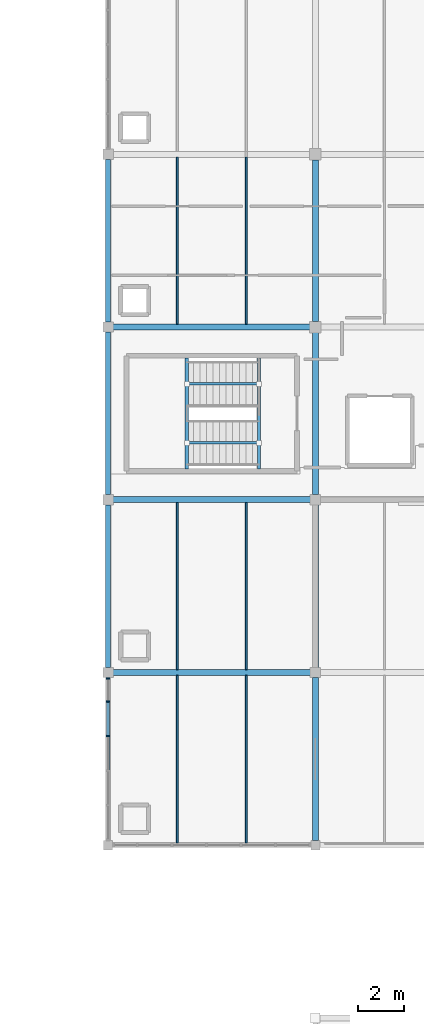
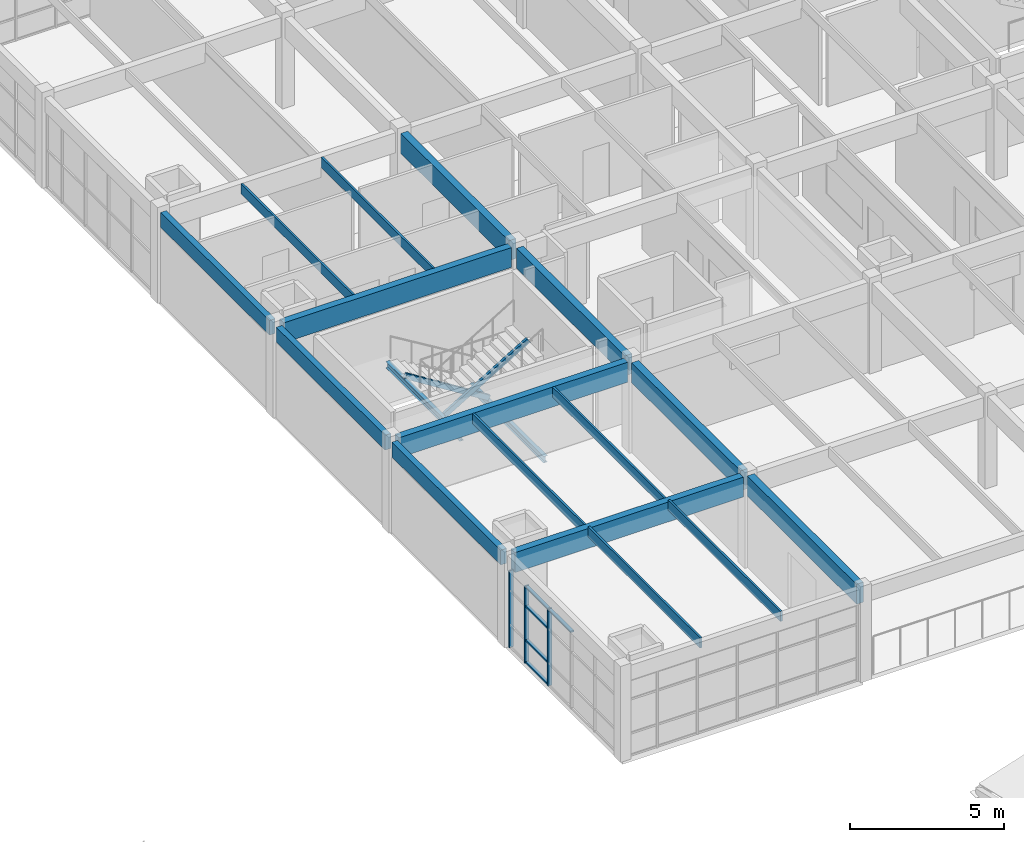
# One storey, part 14 of 81: 18 beams, 10 members, 1 element without a shape of its own.
"""IFC4 building model written with IfcOpenShell, lengths in metres."""

from ifc_helpers import new_model, si_unit, direction, frame, origin, origin_2d, place, context, subcontext, project, spatial, rectangle, hollow_rectangle, i_section, extrude, material, layer, layer_set, material_profile, profile_set, type_object, element, aggregate, save


model = new_model("IFC4")

# Units and contexts
model_context = context("Model", 3, precision=1e-05, world=origin(), true_north=direction((0.0, 1.0)))
body_context = subcontext(model_context, "Body", "Model", "MODEL_VIEW")
ifc_project = project(units=[si_unit("LENGTHUNIT", "METRE"), si_unit("AREAUNIT", "SQUARE_METRE"), si_unit("VOLUMEUNIT", "CUBIC_METRE"), si_unit("PLANEANGLEUNIT", "RADIAN"), si_unit("MASSUNIT", "GRAM", prefix="KILO")], contexts=[model_context])

# Site, building, storey
site_placement = place(None, origin())
site = spatial("IfcSite", under=ifc_project, at=site_placement, CompositionType="ELEMENT")
building_placement = place(site_placement, origin())
building = spatial("IfcBuilding", under=site, at=building_placement, Name="Marnridge Secondary College", CompositionType="ELEMENT")
storey_placement = place(building_placement, frame((0.0, 0.0, 8.5)))
storey = spatial("IfcBuildingStorey", under=building, at=storey_placement, Name="L02", CompositionType="ELEMENT", Elevation=8.5)

# Beams
ifc_material_1 = material(Name="Glulam timber GL18", Category="wood")
ifc_material_profile_1 = material_profile(ifc_material_1, rectangle(XDim=0.215087890625, YDim=0.5849609375, at=origin_2d()), Name="GL18 215x585")
ifc_profile_set_1 = profile_set([ifc_material_profile_1], Name="Glulam timber GL18")
beam_type_1 = type_object("IfcBeamType", Name="BM-GL585-EXT", PredefinedType="SPANDREL", material=ifc_profile_set_1)
for number, where, z_axis, x_axis, name in (
    (1, (54.0, 45.218994140625, 3.277587890625), (0.0, 1.0, 0.0), (-1.0, 0.0, 0.0), "Beam BS-L02-0758"),
    (2, (54.0, 52.718994140625, 3.277587890625), (0.0, 1.0, 0.0), (-1.0, 0.0, 0.0), "Beam BS-L02-0761"),
    (3, (54.0, 60.218994140625, 3.277587890625), (0.0, 1.0, 0.0), (-1.0, 0.0, 0.0), "Beam BS-L02-0764"),
):
    element("IfcBeam", number, at=place(storey_placement, frame(where, z_axis=z_axis, x_axis=x_axis)), inside=storey, type_object=beam_type_1, Name=name, PredefinedType="SPANDREL", context=body_context, shape_type="SweptSolid", body=[
        extrude(rectangle(XDim=0.215087890625, YDim=0.5849609375, at=origin_2d()), origin(), (0.0, 0.0, 1.0), 7.06201171875),
    ])
ifc_material_2 = material(Name="Glulam timber GL18", Category="wood")
ifc_material_profile_2 = material_profile(ifc_material_2, rectangle(XDim=0.260009765625, YDim=0.7900390625, at=origin_2d()), Name="GL18 260x790")
ifc_profile_set_2 = profile_set([ifc_material_profile_2], Name="Glulam timber GL18")
beam_type_2 = type_object("IfcBeamType", Name="BM-GL790-INT", PredefinedType="BEAM", material=ifc_profile_set_2)
for number, where, z_axis, x_axis, name in (
    (4, (54.218994140625, 45.0, 3.175048828125), (1.0, 0.0, 0.0), (0.0, 1.0, 0.0), "Beam B-L02-0756"),
    (5, (54.218994140625, 52.5, 3.175048828125), (1.0, 0.0, 0.0), (0.0, 1.0, 0.0), "Beam B-L02-0757"),
):
    element("IfcBeam", number, at=place(storey_placement, frame(where, z_axis=z_axis, x_axis=x_axis)), inside=storey, type_object=beam_type_2, Name=name, PredefinedType="BEAM", context=body_context, shape_type="SweptSolid", body=[
        extrude(rectangle(XDim=0.260009765625, YDim=0.7900390625, at=origin_2d()), origin(), (0.0, 0.0, 1.0), 8.56201171875),
    ])
beam_1_placement = place(storey_placement, frame((63.0, 45.218994140625, 3.175048828125), z_axis=(0.0, 1.0, 0.0), x_axis=(-1.0, 0.0, 0.0)))
element("IfcBeam", 6, at=beam_1_placement, inside=storey, type_object=beam_type_2, Name="Beam B-L02-0759", PredefinedType="BEAM", context=body_context, shape_type="SweptSolid", body=[
    extrude(rectangle(XDim=0.260009765625, YDim=0.7900390625, at=origin_2d()), origin(), (0.0, 0.0, 1.0), 7.06201171875),
])
beam_2_placement = place(storey_placement, frame((54.218994140625, 60.0, 3.175048828125), z_axis=(1.0, 0.0, 0.0), x_axis=(0.0, 1.0, 0.0)))
element("IfcBeam", 7, at=beam_2_placement, inside=storey, type_object=beam_type_2, Name="Beam B-L02-0760", PredefinedType="BEAM", context=body_context, shape_type="SweptSolid", body=[
    extrude(rectangle(XDim=0.260009765625, YDim=0.7900390625, at=origin_2d()), origin(), (0.0, 0.0, 1.0), 8.537109375),
])
beam_3_placement = place(storey_placement, frame((63.0, 52.718994140625, 3.175048828125), z_axis=(0.0, 1.0, 0.0), x_axis=(-1.0, 0.0, 0.0)))
element("IfcBeam", 8, at=beam_3_placement, inside=storey, type_object=beam_type_2, Name="Beam B-L02-0762", PredefinedType="BEAM", context=body_context, shape_type="SweptSolid", body=[
    extrude(rectangle(XDim=0.260009765625, YDim=0.7900390625, at=origin_2d()), origin(), (0.0, 0.0, 1.0), 7.037109375),
])
beam_4_placement = place(storey_placement, frame((63.0, 60.243896484375, 3.175048828125), z_axis=(0.0, 1.0, 0.0), x_axis=(-1.0, 0.0, 0.0)))
element("IfcBeam", 9, at=beam_4_placement, inside=storey, type_object=beam_type_2, Name="Beam B-L02-0765", PredefinedType="BEAM", context=body_context, shape_type="SweptSolid", body=[
    extrude(rectangle(XDim=0.260009765625, YDim=0.7900390625, at=origin_2d()), origin(), (0.0, 0.0, 1.0), 7.01220703125),
])
beam_5_placement = place(storey_placement, frame((63.0, 37.694091796875, 3.2451171875), z_axis=(0.0, 1.0, 0.0), x_axis=(-1.0, 0.0, 0.0)))
element("IfcBeam", 10, at=beam_5_placement, inside=storey, type_object=beam_type_2, Name="Beam B-L02-0798", PredefinedType="BEAM", context=body_context, shape_type="SweptSolid", body=[
    extrude(rectangle(XDim=0.260009765625, YDim=0.7900390625, at=origin_2d()), origin(), (0.0, 0.0, 1.0), 7.0869140625),
])
ifc_material_3 = material(Name="Engineered timber LVL E13.2", Category="wood")
ifc_material_profile_3 = material_profile(ifc_material_3, rectangle(XDim=0.074951171875, YDim=0.39990234375, at=origin_2d()), Name="LVL 75x400")
ifc_profile_set_3 = profile_set([ifc_material_profile_3], Name="Engineered timber LVL E13.2")
beam_type_3 = type_object("IfcBeamType", Name="BM-LVL400-INT", PredefinedType="JOIST", material=ifc_profile_set_3)
for number, where, z_axis, x_axis, name in (
    (11, (57.0, 45.1240234375, 3.3701171875), (0.0, 1.0, 0.0), (-1.0, 0.0, 0.0), "Beam BJ-L02-0814"),
    (12, (60.0, 45.1240234375, 3.3701171875), (0.0, 1.0, 0.0), (-1.0, 0.0, 0.0), "Beam BJ-L02-0815"),
    (13, (57.0, 60.1240234375, 3.3701171875), (0.0, 1.0, 0.0), (-1.0, 0.0, 0.0), "Beam BJ-L02-0816"),
    (14, (60.0, 60.1240234375, 3.3701171875), (0.0, 1.0, 0.0), (-1.0, 0.0, 0.0), "Beam BJ-L02-0817"),
):
    element("IfcBeam", number, at=place(storey_placement, frame(where, z_axis=z_axis, x_axis=x_axis)), inside=storey, type_object=beam_type_3, Name=name, PredefinedType="JOIST", context=body_context, shape_type="SweptSolid", body=[
        extrude(rectangle(XDim=0.074951171875, YDim=0.39990234375, at=origin_2d()), origin(), (0.0, 0.0, 1.0), 7.251953125),
    ])
for number, where, z_axis, x_axis, name in (
    (15, (57.0, 37.6015625, 3.43994140625), (0.0, 1.0, 0.0), (-1.0, 0.0, 0.0), "Beam BJ-L02-0841"),
    (16, (60.0, 37.6015625, 3.43994140625), (0.0, 1.0, 0.0), (-1.0, 0.0, 0.0), "Beam BJ-L02-0842"),
):
    element("IfcBeam", number, at=place(storey_placement, frame(where, z_axis=z_axis, x_axis=x_axis)), inside=storey, type_object=beam_type_3, Name=name, PredefinedType="JOIST", context=body_context, shape_type="SweptSolid", body=[
        extrude(rectangle(XDim=0.074951171875, YDim=0.39990234375, at=origin_2d()), origin(), (0.0, 0.0, 1.0), 7.2744140625),
    ])
ifc_material_4 = material(Name="Structural steel Grade 350 (AS/NZS 3679.1/.2, fy = 340-360 MPa)", Category="steel")
ifc_material_profile_4 = material_profile(ifc_material_4, i_section(OverallWidth=0.146240234375, OverallDepth=0.256103515625, WebThickness=0.00634765625, FlangeThickness=0.010986328125, FilletRadius=0.0087890625, at=origin_2d()), Name="250UB37.3")
ifc_profile_set_4 = profile_set([ifc_material_profile_4], Name="Structural steel Grade 350 (AS/NZS 3679.1/.2, fy = 340-360 MPa)")
beam_type_4 = type_object("IfcBeamType", Name="BM-UB250-EXT", PredefinedType="LINTEL", material=ifc_profile_set_4)
for number, where, z_axis, x_axis, name in (
    (17, (60.550048828125, 53.842041015625, -0.38818359375), (0.0, 1.0, 0.0), (-1.0, 0.0, 0.0), "Stair landing trimmer beam BT-L02-004"),
    (18, (57.4150390625, 53.842041015625, 1.572021484375), (0.0, 1.0, 0.0), (-1.0, 0.0, 0.0), "Stair landing trimmer beam BT-L02-005"),
):
    element("IfcBeam", number, at=place(storey_placement, frame(where, z_axis=z_axis, x_axis=x_axis)), inside=storey, type_object=beam_type_4, Name=name, PredefinedType="LINTEL", context=body_context, shape_type="SweptSolid", body=[
        extrude(i_section(OverallWidth=0.146240234375, OverallDepth=0.256103515625, WebThickness=0.00634765625, FlangeThickness=0.010986328125, FilletRadius=0.0087890625, at=origin_2d()), origin(), (0.0, 0.0, 1.0), 4.802978515625),
    ])

# Curtain wall, members
ifc_material_5 = material(Name="Thermally broken aluminium and low-E glazing", Category="aluminium")
ifc_layer = layer(ifc_material_5, 0.159912109375)
ifc_layer_set = layer_set([ifc_layer], Name="CW-MOD-1500")
curtain_wall_type = type_object("IfcCurtainWallType", Name="CW-MOD-1500", PredefinedType="NOTDEFINED", material=ifc_layer_set)
curtain_wall_placement = place(storey_placement, origin())
curtain_wall = element("IfcCurtainWall", 19, at=curtain_wall_placement, inside=storey, type_object=curtain_wall_type, Name="Unitised curtain wall CW-L02-082", PredefinedType="NOTDEFINED")
ifc_material_6 = material(Name="Anodised aluminium 6063-T6", Category="aluminium")
ifc_material_profile_5 = material_profile(ifc_material_6, rectangle(XDim=0.06005859375, YDim=0.159912109375, at=origin_2d()), Name="ALU 60x160")
ifc_profile_set_5 = profile_set([ifc_material_profile_5], Name="Anodised aluminium 6063-T6")
member_type_1 = type_object("IfcMemberType", Name="CWM-ALU160", PredefinedType="MULLION", material=ifc_profile_set_5)
member_1_placement = place(storey_placement, frame((54.0, 42.23388671875, 0.0), z_axis=(0.0, 0.0, 1.0), x_axis=(0.0, 1.0, 0.0)))
member_1 = element("IfcMember", 20, at=member_1_placement, type_object=member_type_1, Name="CW-L02-082 mullion 4", PredefinedType="MULLION", context=body_context, shape_type="SweptSolid", body=[
    extrude(rectangle(XDim=0.06005859375, YDim=0.159912109375, at=origin_2d()), origin(), (0.0, 0.0, 1.0), 3.047119140625),
])
member_2_placement = place(storey_placement, frame((54.0, 43.73388671875, 0.0), z_axis=(0.0, 0.0, 1.0), x_axis=(0.0, 1.0, 0.0)))
member_2 = element("IfcMember", 21, at=member_2_placement, type_object=member_type_1, Name="CW-L02-082 mullion 5", PredefinedType="MULLION", context=body_context, shape_type="SweptSolid", body=[
    extrude(rectangle(XDim=0.06005859375, YDim=0.159912109375, at=origin_2d()), origin(), (0.0, 0.0, 1.0), 3.047119140625),
])
member_3_placement = place(storey_placement, frame((54.0, 44.740966796875, 0.0), z_axis=(0.0, 0.0, 1.0), x_axis=(0.0, 1.0, 0.0)))
member_3 = element("IfcMember", 22, at=member_3_placement, type_object=member_type_1, Name="CW-L02-082 mullion 6", PredefinedType="MULLION", context=body_context, shape_type="SweptSolid", body=[
    extrude(rectangle(XDim=0.06005859375, YDim=0.159912109375, at=origin_2d()), origin(), (0.0, 0.0, 1.0), 3.047119140625),
])
ifc_material_7 = material(Name="Anodised aluminium 6063-T6", Category="aluminium")
ifc_material_profile_6 = material_profile(ifc_material_7, rectangle(XDim=0.06005859375, YDim=0.1201171875, at=origin_2d()), Name="ALU 60x120")
ifc_profile_set_6 = profile_set([ifc_material_profile_6], Name="Anodised aluminium 6063-T6")
member_type_2 = type_object("IfcMemberType", Name="CWT-ALU120", PredefinedType="USERDEFINED", material=ifc_profile_set_6)
member_4_placement = place(storey_placement, frame((54.0, 40.763916015625, 3.01708984375), z_axis=(0.0, 1.0, 0.0), x_axis=(0.0, 0.0, 1.0)))
member_4 = element("IfcMember", 23, at=member_4_placement, type_object=member_type_2, Name="CW-L02-082 transom 3.4", ObjectType="TRANSOM", PredefinedType="USERDEFINED", context=body_context, shape_type="SweptSolid", body=[
    extrude(rectangle(XDim=0.06005859375, YDim=0.1201171875, at=origin_2d()), origin(), (0.0, 0.0, 1.0), 1.440185546875),
])
member_5_placement = place(storey_placement, frame((54.0, 42.263916015625, 0.030029296875), z_axis=(0.0, 1.0, 0.0), x_axis=(0.0, 0.0, 1.0)))
member_5 = element("IfcMember", 24, at=member_5_placement, type_object=member_type_2, Name="CW-L02-082 transom 4.1", ObjectType="TRANSOM", PredefinedType="USERDEFINED", context=body_context, shape_type="SweptSolid", body=[
    extrude(rectangle(XDim=0.06005859375, YDim=0.1201171875, at=origin_2d()), origin(), (0.0, 0.0, 1.0), 1.440185546875),
])
member_6_placement = place(storey_placement, frame((54.0, 42.263916015625, 0.89990234375), z_axis=(0.0, 1.0, 0.0), x_axis=(0.0, 0.0, 1.0)))
member_6 = element("IfcMember", 25, at=member_6_placement, type_object=member_type_2, Name="CW-L02-082 transom 4.2", ObjectType="TRANSOM", PredefinedType="USERDEFINED", context=body_context, shape_type="SweptSolid", body=[
    extrude(rectangle(XDim=0.06005859375, YDim=0.1201171875, at=origin_2d()), origin(), (0.0, 0.0, 1.0), 1.440185546875),
])
member_7_placement = place(storey_placement, frame((54.0, 42.263916015625, 2.25), z_axis=(0.0, 1.0, 0.0), x_axis=(0.0, 0.0, 1.0)))
member_7 = element("IfcMember", 26, at=member_7_placement, type_object=member_type_2, Name="CW-L02-082 transom 4.3", ObjectType="TRANSOM", PredefinedType="USERDEFINED", context=body_context, shape_type="SweptSolid", body=[
    extrude(rectangle(XDim=0.06005859375, YDim=0.1201171875, at=origin_2d()), origin(), (0.0, 0.0, 1.0), 1.440185546875),
])
member_8_placement = place(storey_placement, frame((54.0, 42.263916015625, 3.01708984375), z_axis=(0.0, 1.0, 0.0), x_axis=(0.0, 0.0, 1.0)))
member_8 = element("IfcMember", 27, at=member_8_placement, type_object=member_type_2, Name="CW-L02-082 transom 4.4", ObjectType="TRANSOM", PredefinedType="USERDEFINED", context=body_context, shape_type="SweptSolid", body=[
    extrude(rectangle(XDim=0.06005859375, YDim=0.1201171875, at=origin_2d()), origin(), (0.0, 0.0, 1.0), 1.440185546875),
])
aggregate(curtain_wall, [member_1, member_2, member_3, member_4, member_5, member_6, member_7, member_8])

# Members
ifc_material_8 = material(Name="Cold-formed steel Grade C350L0 (AS/NZS 1163, fy = 350 MPa)", Category="steel")
ifc_material_profile_7 = material_profile(ifc_material_8, hollow_rectangle(XDim=0.10009765625, YDim=0.199951171875, WallThickness=0.006103515625, at=origin_2d()), Name="200x100x6.0RHS")
ifc_profile_set_7 = profile_set([ifc_material_profile_7], Name="Cold-formed steel Grade C350L0 (AS/NZS 1163, fy = 350 MPa)")
member_type_3 = type_object("IfcMemberType", Name="MB-STR-RHS200", PredefinedType="STRINGER", material=ifc_profile_set_7)
member_9_placement = place(storey_placement, frame((60.550048828125, 57.530029296875, -0.16796875), z_axis=(-0.847927812005, 0.0, 0.530111710519), x_axis=(0.0, -1.0, 0.0)))
element("IfcMember", 28, at=member_9_placement, inside=storey, type_object=member_type_3, Name="Stair stringer STR-005", PredefinedType="STRINGER", context=body_context, shape_type="SweptSolid", body=[
    extrude(hollow_rectangle(XDim=0.10009765625, YDim=0.199951171875, WallThickness=0.006103515625, at=origin_2d()), origin(), (0.0, 0.0, 1.0), 3.697265625),
])
member_10_placement = place(storey_placement, frame((57.4150390625, 54.969970703125, 1.7919921875), z_axis=(0.858806083124, 0.0, 0.512300801863), x_axis=(0.0, 1.0, 0.0)))
element("IfcMember", 29, at=member_10_placement, inside=storey, type_object=member_type_3, Name="Stair stringer STR-006", PredefinedType="STRINGER", context=body_context, shape_type="SweptSolid", body=[
    extrude(hollow_rectangle(XDim=0.10009765625, YDim=0.199951171875, WallThickness=0.006103515625, at=origin_2d()), origin(), (0.0, 0.0, 1.0), 3.650390625),
])

save(model, "model.ifc")
